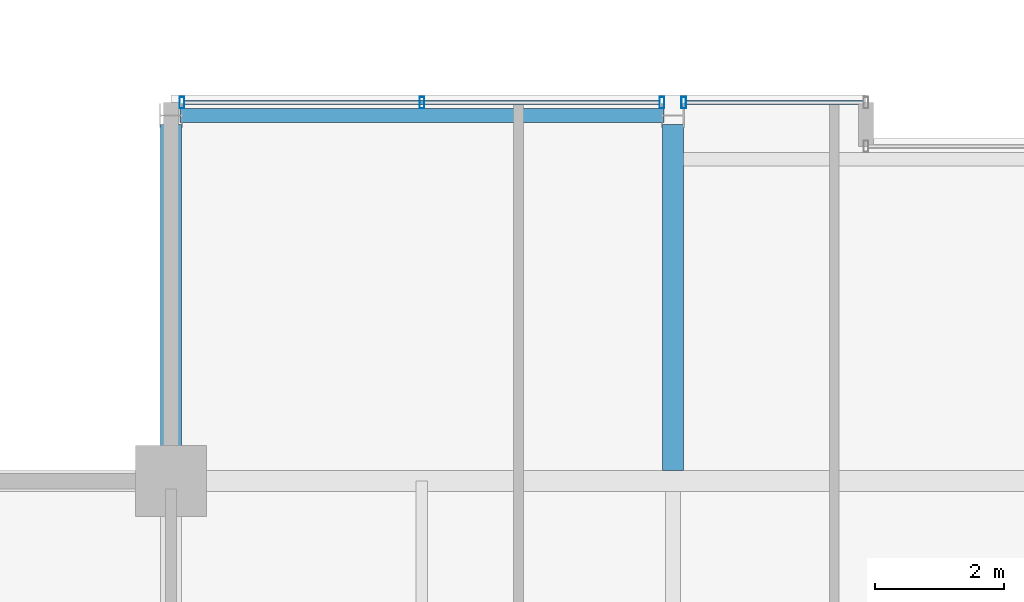
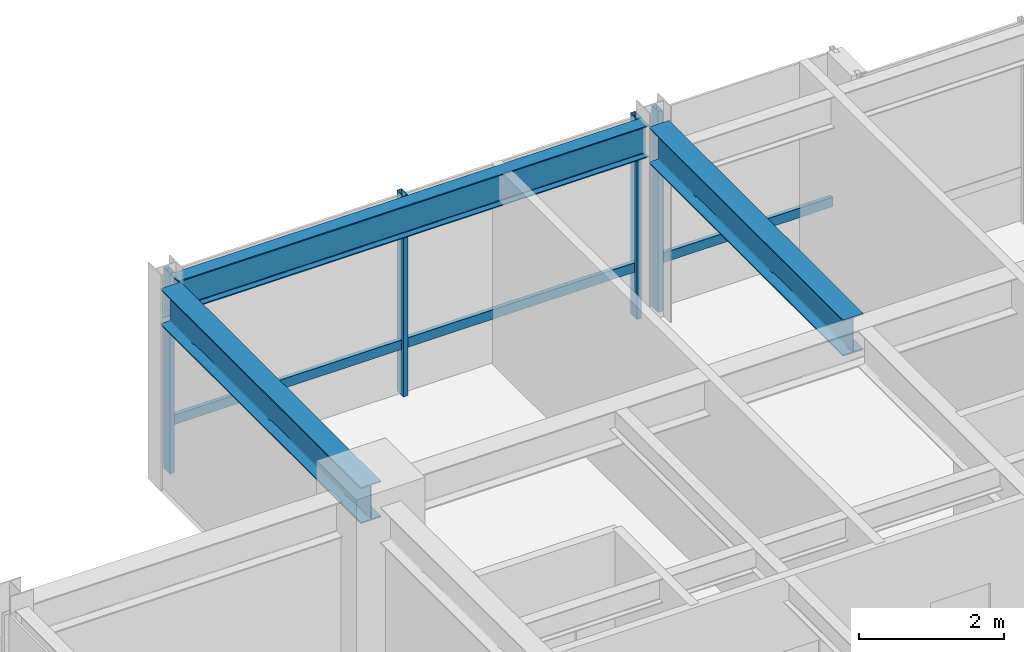
# One storey, part 22 of 34: 6 members, 3 beams, 2 elements without a shape of their own.
"""IFC4 building model written with IfcOpenShell, lengths in metres."""

from ifc_helpers import new_model, si_unit, direction, frame, origin, origin_2d, place, context, subcontext, project, spatial, hollow_rectangle, i_section, extrude, material, layer, layer_set, material_profile, profile_set, type_object, element, aggregate, save


model = new_model("IFC4")

# Units and contexts
model_context = context("Model", 3, precision=1e-05, world=origin(), true_north=direction((0.0, 1.0)))
body_context = subcontext(model_context, "Body", "Model", "MODEL_VIEW")
ifc_project = project(units=[si_unit("LENGTHUNIT", "METRE"), si_unit("AREAUNIT", "SQUARE_METRE"), si_unit("VOLUMEUNIT", "CUBIC_METRE"), si_unit("PLANEANGLEUNIT", "RADIAN"), si_unit("MASSUNIT", "GRAM", prefix="KILO")], contexts=[model_context])

# Site, building, storey
site_placement = place(None, origin())
site = spatial("IfcSite", under=ifc_project, at=site_placement, CompositionType="ELEMENT")
building_placement = place(site_placement, origin())
building = spatial("IfcBuilding", under=site, at=building_placement, Name="Drelvath Grand Hotel", CompositionType="ELEMENT")
storey_placement = place(building_placement, frame((0.0, 0.0, 272.300048828125)))
storey = spatial("IfcBuildingStorey", under=building, at=storey_placement, Name="L71", CompositionType="ELEMENT", Elevation=272.300048828125)

# Curtain wall, member
ifc_material_1 = material(Name="Platinum-Mist Anodised Aluminium Frame", Category="aluminium")
ifc_layer = layer(ifc_material_1, 0.199951171875)
ifc_layer_set = layer_set([ifc_layer], Name="Platinum-Mist Anodised Aluminium Frame")
curtain_wall_type = type_object("IfcCurtainWallType", Name="Stick Curtain Wall CW-05 Platinum Mist High-Rise", PredefinedType="NOTDEFINED", material=ifc_layer_set)
curtain_wall_1_placement = place(storey_placement, origin())
curtain_wall_1 = element("IfcCurtainWall", 1, at=curtain_wall_1_placement, inside=storey, type_object=curtain_wall_type, Name="L71 CW-05 Curtain Wall CW05-L71-NW1", PredefinedType="NOTDEFINED")
ifc_material_profile_1 = material_profile(ifc_material_1, hollow_rectangle(XDim=0.06494140625, YDim=0.159912109375, WallThickness=0.00390625, at=origin_2d()), Name="HSS160X65X4")
ifc_profile_set_1 = profile_set([ifc_material_profile_1], Name="Platinum-Mist Anodised Aluminium Frame")
member_type_1 = type_object("IfcMemberType", Name="Curtain Wall Horizontal Transom CW-05 HSS160X65X4", PredefinedType="USERDEFINED", material=ifc_profile_set_1)
member_1_placement = place(storey_placement, frame((-15.989990234375, 49.080078125, 0.847412109375), z_axis=(1.0, 0.0, 0.0), x_axis=(0.0, 1.0, 0.0)))
member_1 = element("IfcMember", 2, at=member_1_placement, type_object=member_type_1, Name="CW05-L71-NW1 Sill Transom", ObjectType="TRANSOM", PredefinedType="USERDEFINED", context=body_context, shape_type="SweptSolid", body=[
    extrude(hollow_rectangle(XDim=0.06494140625, YDim=0.159912109375, WallThickness=0.00390625, at=origin_2d()), origin(), (0.0, 0.0, 1.0), 7.3798828125),
])

curtain_wall_2_placement = place(storey_placement, origin())
curtain_wall_2 = element("IfcCurtainWall", 3, at=curtain_wall_2_placement, inside=storey, type_object=curtain_wall_type, Name="L71 CW-05 Curtain Wall CW05-L71-NW2", PredefinedType="NOTDEFINED")
member_2_placement = place(storey_placement, frame((-8.18994140625, 49.080078125, 0.847412109375), z_axis=(1.0, 0.0, 0.0), x_axis=(0.0, 1.0, 0.0)))
member_2 = element("IfcMember", 4, at=member_2_placement, type_object=member_type_1, Name="CW05-L71-NW2 Sill Transom", ObjectType="TRANSOM", PredefinedType="USERDEFINED", context=body_context, shape_type="SweptSolid", body=[
    extrude(hollow_rectangle(XDim=0.06494140625, YDim=0.159912109375, WallThickness=0.00390625, at=origin_2d()), origin(), (0.0, 0.0, 1.0), 2.75),
])

# Member
ifc_material_profile_2 = material_profile(ifc_material_1, hollow_rectangle(XDim=0.074951171875, YDim=0.179931640625, WallThickness=0.0048828125, at=origin_2d()), Name="HSS180X75X5")
ifc_profile_set_2 = profile_set([ifc_material_profile_2], Name="Platinum-Mist Anodised Aluminium Frame")
member_type_2 = type_object("IfcMemberType", Name="Curtain Wall Vertical Mullion CW-05 HSS180X75X5", PredefinedType="MULLION", material=ifc_profile_set_2)
member_3_placement = place(storey_placement, frame((-16.02978515625, 49.080078125, 0.0), z_axis=(0.0, 0.0, 1.0), x_axis=(1.0, 0.0, 0.0)))
member_3 = element("IfcMember", 5, at=member_3_placement, type_object=member_type_2, Name="CW05-L71-NW1 Mullion 1", PredefinedType="MULLION", context=body_context, shape_type="SweptSolid", body=[
    extrude(hollow_rectangle(XDim=0.074951171875, YDim=0.179931640625, WallThickness=0.0048828125, at=origin_2d()), origin(), (0.0, 0.0, 1.0), 3.389892578125),
])

member_4_placement = place(storey_placement, frame((-12.300048828125, 49.080078125, 0.0), z_axis=(0.0, 0.0, 1.0), x_axis=(1.0, 0.0, 0.0)))
member_4 = element("IfcMember", 6, at=member_4_placement, type_object=member_type_2, Name="CW05-L71-NW1 Mullion 2", PredefinedType="MULLION", context=body_context, shape_type="SweptSolid", body=[
    extrude(hollow_rectangle(XDim=0.074951171875, YDim=0.179931640625, WallThickness=0.0048828125, at=origin_2d()), origin(), (0.0, 0.0, 1.0), 3.389892578125),
])

member_5_placement = place(storey_placement, frame((-8.570068359375, 49.080078125, 0.0), z_axis=(0.0, 0.0, 1.0), x_axis=(1.0, 0.0, 0.0)))
member_5 = element("IfcMember", 7, at=member_5_placement, type_object=member_type_2, Name="CW05-L71-NW1 Mullion 3", PredefinedType="MULLION", context=body_context, shape_type="SweptSolid", body=[
    extrude(hollow_rectangle(XDim=0.074951171875, YDim=0.179931640625, WallThickness=0.0048828125, at=origin_2d()), origin(), (0.0, 0.0, 1.0), 3.389892578125),
])

aggregate(curtain_wall_1, [member_3, member_4, member_5, member_1])

member_6_placement = place(storey_placement, frame((-8.22998046875, 49.080078125, 0.0), z_axis=(0.0, 0.0, 1.0), x_axis=(1.0, 0.0, 0.0)))
member_6 = element("IfcMember", 8, at=member_6_placement, type_object=member_type_2, Name="CW05-L71-NW2 Mullion 1", PredefinedType="MULLION", context=body_context, shape_type="SweptSolid", body=[
    extrude(hollow_rectangle(XDim=0.074951171875, YDim=0.179931640625, WallThickness=0.0048828125, at=origin_2d()), origin(), (0.0, 0.0, 1.0), 3.389892578125),
])

aggregate(curtain_wall_2, [member_6, member_2])

# Beams
ifc_material_2 = material(Name="Steel ASTM A992 Gr 50", Category="steel")
ifc_material_profile_3 = material_profile(ifc_material_2, i_section(OverallWidth=0.210205078125, OverallDepth=0.53662109375, WebThickness=0.010986328125, FlangeThickness=0.017333984375, FilletRadius=0.01806640625, at=origin_2d()), Name="W21X68")
ifc_profile_set_3 = profile_set([ifc_material_profile_3], Name="Steel ASTM A992 Gr 50")
beam_type_1 = type_object("IfcBeamType", Name="Perimeter Spandrel Beam W21X68", PredefinedType="SPANDREL", material=ifc_profile_set_3)
beam_1_placement = place(storey_placement, frame((-16.06005859375, 48.8798828125, 3.12158203125), z_axis=(1.0, 0.0, 0.0), x_axis=(0.0, 1.0, 0.0)))
element("IfcBeam", 9, at=beam_1_placement, inside=storey, type_object=beam_type_1, Name="L71 Spandrel North W", PredefinedType="SPANDREL", context=body_context, shape_type="SweptSolid", body=[
    extrude(i_section(OverallWidth=0.210205078125, OverallDepth=0.53662109375, WebThickness=0.010986328125, FlangeThickness=0.017333984375, FilletRadius=0.01806640625, at=origin_2d()), origin(), (0.0, 0.0, 1.0), 7.52001953125),
])
ifc_material_profile_4 = material_profile(ifc_material_2, i_section(OverallWidth=0.323974609375, OverallDepth=0.611083984375, WebThickness=0.0126953125, FlangeThickness=0.01904296875, FilletRadius=0.02197265625, at=origin_2d()), Name="W24X104")
ifc_profile_set_4 = profile_set([ifc_material_profile_4], Name="Steel ASTM A992 Gr 50")
beam_type_2 = type_object("IfcBeamType", Name="Primary Floor Girder W24X104", PredefinedType="BEAM", material=ifc_profile_set_4)
beam_2_placement = place(storey_placement, frame((-16.199951171875, 43.199951171875, 3.08447265625), z_axis=(0.0, 1.0, 0.0), x_axis=(-1.0, 0.0, 0.0)))
element("IfcBeam", 10, at=beam_2_placement, inside=storey, type_object=beam_type_2, Name="L71 North Grid Girder 3", PredefinedType="BEAM", context=body_context, shape_type="SweptSolid", body=[
    extrude(i_section(OverallWidth=0.323974609375, OverallDepth=0.611083984375, WebThickness=0.0126953125, FlangeThickness=0.01904296875, FilletRadius=0.02197265625, at=origin_2d()), origin(), (0.0, 0.0, 1.0), 5.5400390625),
])
beam_3_placement = place(storey_placement, frame((-8.39990234375, 43.362060546875, 3.08447265625), z_axis=(0.0, 1.0, 0.0), x_axis=(-1.0, 0.0, 0.0)))
element("IfcBeam", 11, at=beam_3_placement, inside=storey, type_object=beam_type_2, Name="L71 North Wing Girder 4", PredefinedType="BEAM", context=body_context, shape_type="SweptSolid", body=[
    extrude(i_section(OverallWidth=0.323974609375, OverallDepth=0.611083984375, WebThickness=0.0126953125, FlangeThickness=0.01904296875, FilletRadius=0.02197265625, at=origin_2d()), origin(), (0.0, 0.0, 1.0), 5.3779296875),
])

save(model, "model.ifc")
